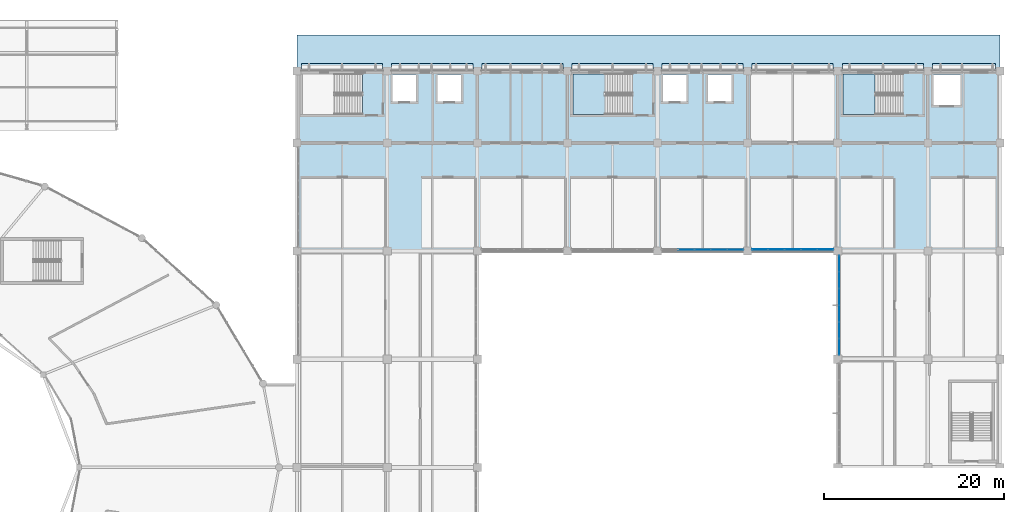
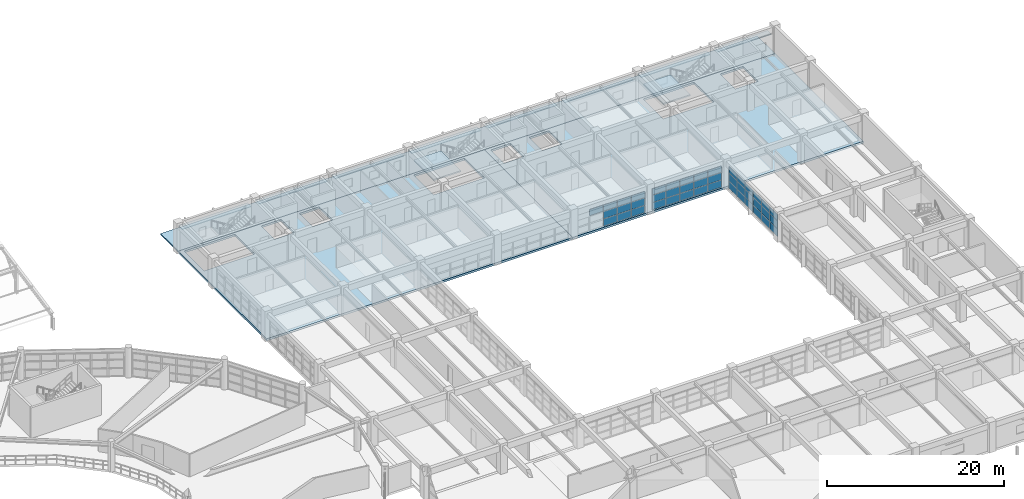
# One storey, part 73 of 100: 51 plates, 5 slabs, 5 elements without a shape of their own.
"""IFC4 building model written with IfcOpenShell, lengths in metres."""

from ifc_helpers import new_model, si_unit, direction, frame, origin, origin_2d, place, context, subcontext, project, spatial, polyline, rectangle, outline, extrude, material, layer, layer_set, type_object, element, aggregate, save


model = new_model("IFC4")

# Units and contexts
model_context = context("Model", 3, precision=1e-05, world=origin(), true_north=direction((0.0, 1.0)))
body_context = subcontext(model_context, "Body", "Model", "MODEL_VIEW")
ifc_project = project(units=[si_unit("LENGTHUNIT", "METRE"), si_unit("AREAUNIT", "SQUARE_METRE"), si_unit("VOLUMEUNIT", "CUBIC_METRE"), si_unit("PLANEANGLEUNIT", "RADIAN"), si_unit("MASSUNIT", "GRAM", prefix="KILO")], contexts=[model_context])

# Site, building, storey
site_placement = place(None, origin())
site = spatial("IfcSite", under=ifc_project, at=site_placement, CompositionType="ELEMENT")
building_placement = place(site_placement, origin())
building = spatial("IfcBuilding", under=site, at=building_placement, Name="Kivolera Central Railway Station", CompositionType="ELEMENT")
storey_placement = place(building_placement, frame((0.0, 0.0, 5.39990234375)))
storey = spatial("IfcBuildingStorey", under=building, at=storey_placement, Name="L01", CompositionType="ELEMENT", Elevation=5.39990234375)

# Curtain wall, plates
ifc_material_1 = material(Name="Anodised aluminium", Category="aluminium")
ifc_layer_1 = layer(ifc_material_1, 0.179931640625, Name="Anodised aluminium")
ifc_layer_set_1 = layer_set([ifc_layer_1], Name="Anodised aluminium")
curtain_wall_type_1 = type_object("IfcCurtainWallType", Name="CW-SYS-25", PredefinedType="NOTDEFINED", material=ifc_layer_set_1)
curtain_wall_1_placement = place(storey_placement, origin())
curtain_wall_1 = element("IfcCurtainWall", 1, at=curtain_wall_1_placement, inside=storey, type_object=curtain_wall_type_1, Name="L01 Curtain Wall CW-L01-CRTE-J", PredefinedType="NOTDEFINED")
ifc_material_2 = material(Name="Double low-E laminated glass", Category="glass")
ifc_layer_2 = layer(ifc_material_2, 0.030029296875, Name="Double low-E laminated glass")
ifc_layer_set_2 = layer_set([ifc_layer_2], Name="Double low-E laminated glass")
plate_type_1 = type_object("IfcPlateType", Name="CWP-GLZ-2", PredefinedType="CURTAIN_PANEL", material=ifc_layer_set_2)
plate_1_placement = place(storey_placement, frame((178.159912109375, 103.3857421875, 0.048095703125), z_axis=(0.0, 0.0, 1.0), x_axis=(0.0, 1.0, 0.0)))
plate_1 = element("IfcPlate", 2, at=plate_1_placement, type_object=plate_type_1, Name="CW-25 panel 1.1", PredefinedType="CURTAIN_PANEL", context=body_context, shape_type="SweptSolid", body=[
    extrude(rectangle(XDim=1.78564453125, YDim=0.030029296875, at=origin_2d()), origin(), (0.0, 0.0, 1.0), 1.025390625),
])
plate_2_placement = place(storey_placement, frame((178.159912109375, 103.3857421875, 1.109375), z_axis=(0.0, 0.0, 1.0), x_axis=(0.0, 1.0, 0.0)))
plate_2 = element("IfcPlate", 3, at=plate_2_placement, type_object=plate_type_1, Name="CW-25 panel 1.2", PredefinedType="CURTAIN_PANEL", context=body_context, shape_type="SweptSolid", body=[
    extrude(rectangle(XDim=1.78564453125, YDim=0.030029296875, at=origin_2d()), origin(), (0.0, 0.0, 1.0), 1.055419921875),
])
plate_3_placement = place(storey_placement, frame((178.159912109375, 103.3857421875, 2.20068359375), z_axis=(0.0, 0.0, 1.0), x_axis=(0.0, 1.0, 0.0)))
plate_3 = element("IfcPlate", 4, at=plate_3_placement, type_object=plate_type_1, Name="CW-25 panel 1.3", PredefinedType="CURTAIN_PANEL", context=body_context, shape_type="SweptSolid", body=[
    extrude(rectangle(XDim=1.78564453125, YDim=0.030029296875, at=origin_2d()), origin(), (0.0, 0.0, 1.0), 0.869384765625),
])
plate_4_placement = place(storey_placement, frame((178.159912109375, 105.222412109375, 0.048095703125), z_axis=(0.0, 0.0, 1.0), x_axis=(0.0, 1.0, 0.0)))
plate_4 = element("IfcPlate", 5, at=plate_4_placement, type_object=plate_type_1, Name="CW-25 panel 2.1", PredefinedType="CURTAIN_PANEL", context=body_context, shape_type="SweptSolid", body=[
    extrude(rectangle(XDim=1.815673828125, YDim=0.030029296875, at=origin_2d()), origin(), (0.0, 0.0, 1.0), 1.025390625),
])
plate_5_placement = place(storey_placement, frame((178.159912109375, 105.222412109375, 1.109375), z_axis=(0.0, 0.0, 1.0), x_axis=(0.0, 1.0, 0.0)))
plate_5 = element("IfcPlate", 6, at=plate_5_placement, type_object=plate_type_1, Name="CW-25 panel 2.2", PredefinedType="CURTAIN_PANEL", context=body_context, shape_type="SweptSolid", body=[
    extrude(rectangle(XDim=1.815673828125, YDim=0.030029296875, at=origin_2d()), origin(), (0.0, 0.0, 1.0), 1.055419921875),
])
plate_6_placement = place(storey_placement, frame((178.159912109375, 105.222412109375, 2.20068359375), z_axis=(0.0, 0.0, 1.0), x_axis=(0.0, 1.0, 0.0)))
plate_6 = element("IfcPlate", 7, at=plate_6_placement, type_object=plate_type_1, Name="CW-25 panel 2.3", PredefinedType="CURTAIN_PANEL", context=body_context, shape_type="SweptSolid", body=[
    extrude(rectangle(XDim=1.815673828125, YDim=0.030029296875, at=origin_2d()), origin(), (0.0, 0.0, 1.0), 0.869384765625),
])
plate_7_placement = place(storey_placement, frame((178.159912109375, 107.07421875, 0.048095703125), z_axis=(0.0, 0.0, 1.0), x_axis=(0.0, 1.0, 0.0)))
plate_7 = element("IfcPlate", 8, at=plate_7_placement, type_object=plate_type_1, Name="CW-25 panel 3.1", PredefinedType="CURTAIN_PANEL", context=body_context, shape_type="SweptSolid", body=[
    extrude(rectangle(XDim=1.815673828125, YDim=0.030029296875, at=origin_2d()), origin(), (0.0, 0.0, 1.0), 1.025390625),
])
plate_8_placement = place(storey_placement, frame((178.159912109375, 107.07421875, 1.109375), z_axis=(0.0, 0.0, 1.0), x_axis=(0.0, 1.0, 0.0)))
plate_8 = element("IfcPlate", 9, at=plate_8_placement, type_object=plate_type_1, Name="CW-25 panel 3.2", PredefinedType="CURTAIN_PANEL", context=body_context, shape_type="SweptSolid", body=[
    extrude(rectangle(XDim=1.815673828125, YDim=0.030029296875, at=origin_2d()), origin(), (0.0, 0.0, 1.0), 1.055419921875),
])
plate_9_placement = place(storey_placement, frame((178.159912109375, 107.07421875, 2.20068359375), z_axis=(0.0, 0.0, 1.0), x_axis=(0.0, 1.0, 0.0)))
plate_9 = element("IfcPlate", 10, at=plate_9_placement, type_object=plate_type_1, Name="CW-25 panel 3.3", PredefinedType="CURTAIN_PANEL", context=body_context, shape_type="SweptSolid", body=[
    extrude(rectangle(XDim=1.815673828125, YDim=0.030029296875, at=origin_2d()), origin(), (0.0, 0.0, 1.0), 0.869384765625),
])
plate_10_placement = place(storey_placement, frame((178.159912109375, 108.92578125, 0.048095703125), z_axis=(0.0, 0.0, 1.0), x_axis=(0.0, 1.0, 0.0)))
plate_10 = element("IfcPlate", 11, at=plate_10_placement, type_object=plate_type_1, Name="CW-25 panel 4.1", PredefinedType="CURTAIN_PANEL", context=body_context, shape_type="SweptSolid", body=[
    extrude(rectangle(XDim=1.815673828125, YDim=0.030029296875, at=origin_2d()), origin(), (0.0, 0.0, 1.0), 1.025390625),
])
plate_11_placement = place(storey_placement, frame((178.159912109375, 108.92578125, 1.109375), z_axis=(0.0, 0.0, 1.0), x_axis=(0.0, 1.0, 0.0)))
plate_11 = element("IfcPlate", 12, at=plate_11_placement, type_object=plate_type_1, Name="CW-25 panel 4.2", PredefinedType="CURTAIN_PANEL", context=body_context, shape_type="SweptSolid", body=[
    extrude(rectangle(XDim=1.815673828125, YDim=0.030029296875, at=origin_2d()), origin(), (0.0, 0.0, 1.0), 1.055419921875),
])
plate_12_placement = place(storey_placement, frame((178.159912109375, 108.92578125, 2.20068359375), z_axis=(0.0, 0.0, 1.0), x_axis=(0.0, 1.0, 0.0)))
plate_12 = element("IfcPlate", 13, at=plate_12_placement, type_object=plate_type_1, Name="CW-25 panel 4.3", PredefinedType="CURTAIN_PANEL", context=body_context, shape_type="SweptSolid", body=[
    extrude(rectangle(XDim=1.815673828125, YDim=0.030029296875, at=origin_2d()), origin(), (0.0, 0.0, 1.0), 0.869384765625),
])
plate_13_placement = place(storey_placement, frame((178.159912109375, 110.777587890625, 0.048095703125), z_axis=(0.0, 0.0, 1.0), x_axis=(0.0, 1.0, 0.0)))
plate_13 = element("IfcPlate", 14, at=plate_13_placement, type_object=plate_type_1, Name="CW-25 panel 5.1", PredefinedType="CURTAIN_PANEL", context=body_context, shape_type="SweptSolid", body=[
    extrude(rectangle(XDim=1.815673828125, YDim=0.030029296875, at=origin_2d()), origin(), (0.0, 0.0, 1.0), 1.025390625),
])
plate_14_placement = place(storey_placement, frame((178.159912109375, 110.777587890625, 1.109375), z_axis=(0.0, 0.0, 1.0), x_axis=(0.0, 1.0, 0.0)))
plate_14 = element("IfcPlate", 15, at=plate_14_placement, type_object=plate_type_1, Name="CW-25 panel 5.2", PredefinedType="CURTAIN_PANEL", context=body_context, shape_type="SweptSolid", body=[
    extrude(rectangle(XDim=1.815673828125, YDim=0.030029296875, at=origin_2d()), origin(), (0.0, 0.0, 1.0), 1.055419921875),
])
plate_15_placement = place(storey_placement, frame((178.159912109375, 110.777587890625, 2.20068359375), z_axis=(0.0, 0.0, 1.0), x_axis=(0.0, 1.0, 0.0)))
plate_15 = element("IfcPlate", 16, at=plate_15_placement, type_object=plate_type_1, Name="CW-25 panel 5.3", PredefinedType="CURTAIN_PANEL", context=body_context, shape_type="SweptSolid", body=[
    extrude(rectangle(XDim=1.815673828125, YDim=0.030029296875, at=origin_2d()), origin(), (0.0, 0.0, 1.0), 0.869384765625),
])
plate_16_placement = place(storey_placement, frame((178.159912109375, 112.6142578125, 0.048095703125), z_axis=(0.0, 0.0, 1.0), x_axis=(0.0, 1.0, 0.0)))
plate_16 = element("IfcPlate", 17, at=plate_16_placement, type_object=plate_type_1, Name="CW-25 panel 6.1", PredefinedType="CURTAIN_PANEL", context=body_context, shape_type="SweptSolid", body=[
    extrude(rectangle(XDim=1.78564453125, YDim=0.030029296875, at=origin_2d()), origin(), (0.0, 0.0, 1.0), 1.025390625),
])
plate_17_placement = place(storey_placement, frame((178.159912109375, 112.6142578125, 1.109375), z_axis=(0.0, 0.0, 1.0), x_axis=(0.0, 1.0, 0.0)))
plate_17 = element("IfcPlate", 18, at=plate_17_placement, type_object=plate_type_1, Name="CW-25 panel 6.2", PredefinedType="CURTAIN_PANEL", context=body_context, shape_type="SweptSolid", body=[
    extrude(rectangle(XDim=1.78564453125, YDim=0.030029296875, at=origin_2d()), origin(), (0.0, 0.0, 1.0), 1.055419921875),
])
plate_18_placement = place(storey_placement, frame((178.159912109375, 112.6142578125, 2.20068359375), z_axis=(0.0, 0.0, 1.0), x_axis=(0.0, 1.0, 0.0)))
plate_18 = element("IfcPlate", 19, at=plate_18_placement, type_object=plate_type_1, Name="CW-25 panel 6.3", PredefinedType="CURTAIN_PANEL", context=body_context, shape_type="SweptSolid", body=[
    extrude(rectangle(XDim=1.78564453125, YDim=0.030029296875, at=origin_2d()), origin(), (0.0, 0.0, 1.0), 0.869384765625),
])
aggregate(curtain_wall_1, [plate_1, plate_2, plate_3, plate_4, plate_5, plate_6, plate_7, plate_8, plate_9, plate_10, plate_11, plate_12, plate_13, plate_14, plate_15, plate_16, plate_17, plate_18])

ifc_layer_3 = layer(ifc_material_1, 0.179931640625, Name="Anodised aluminium")
ifc_layer_set_3 = layer_set([ifc_layer_3], Name="Anodised aluminium")
curtain_wall_type_2 = type_object("IfcCurtainWallType", Name="CW-SYS-24", PredefinedType="NOTDEFINED", material=ifc_layer_set_3)
curtain_wall_2_placement = place(storey_placement, origin())
curtain_wall_2 = element("IfcCurtainWall", 20, at=curtain_wall_2_placement, inside=storey, type_object=curtain_wall_type_2, Name="L01 Curtain Wall CW-L01-CRTN-158", PredefinedType="NOTDEFINED")
ifc_layer_4 = layer(ifc_material_2, 0.0380859375, Name="Double low-E laminated glass")
ifc_layer_set_4 = layer_set([ifc_layer_4], Name="Double low-E laminated glass")
plate_type_2 = type_object("IfcPlateType", Name="CWP-GLZ-4", PredefinedType="CURTAIN_PANEL", material=ifc_layer_set_4)
plate_19_placement = place(storey_placement, frame((166.62890625, 114.159912109375, 0.048095703125), z_axis=(0.0, 0.0, 1.0), x_axis=(-1.0, 0.0, 0.0)))
plate_19 = element("IfcPlate", 21, at=plate_19_placement, type_object=plate_type_2, Name="CW-24 panel 1.1", PredefinedType="CURTAIN_PANEL", context=body_context, shape_type="SweptSolid", body=[
    extrude(rectangle(XDim=1.756103515625, YDim=0.0380859375, at=origin_2d()), origin(), (0.0, 0.0, 1.0), 0.990234375),
])
plate_20_placement = place(storey_placement, frame((166.62890625, 114.159912109375, 1.07421875), z_axis=(0.0, 0.0, 1.0), x_axis=(-1.0, 0.0, 0.0)))
plate_20 = element("IfcPlate", 22, at=plate_20_placement, type_object=plate_type_2, Name="CW-24 panel 1.2", PredefinedType="CURTAIN_PANEL", context=body_context, shape_type="SweptSolid", body=[
    extrude(rectangle(XDim=1.756103515625, YDim=0.0380859375, at=origin_2d()), origin(), (0.0, 0.0, 1.0), 1.020263671875),
])
plate_21_placement = place(storey_placement, frame((166.62890625, 114.159912109375, 2.130615234375), z_axis=(0.0, 0.0, 1.0), x_axis=(-1.0, 0.0, 0.0)))
plate_21 = element("IfcPlate", 23, at=plate_21_placement, type_object=plate_type_2, Name="CW-24 panel 1.3", PredefinedType="CURTAIN_PANEL", context=body_context, shape_type="SweptSolid", body=[
    extrude(rectangle(XDim=1.756103515625, YDim=0.0380859375, at=origin_2d()), origin(), (0.0, 0.0, 1.0), 0.83935546875),
])
plate_22_placement = place(storey_placement, frame((164.822021484375, 114.159912109375, 0.048095703125), z_axis=(0.0, 0.0, 1.0), x_axis=(-1.0, 0.0, 0.0)))
plate_22 = element("IfcPlate", 24, at=plate_22_placement, type_object=plate_type_2, Name="CW-24 panel 2.1", PredefinedType="CURTAIN_PANEL", context=body_context, shape_type="SweptSolid", body=[
    extrude(rectangle(XDim=1.785888671875, YDim=0.0380859375, at=origin_2d()), origin(), (0.0, 0.0, 1.0), 0.990234375),
])
plate_23_placement = place(storey_placement, frame((164.822021484375, 114.159912109375, 1.07421875), z_axis=(0.0, 0.0, 1.0), x_axis=(-1.0, 0.0, 0.0)))
plate_23 = element("IfcPlate", 25, at=plate_23_placement, type_object=plate_type_2, Name="CW-24 panel 2.2", PredefinedType="CURTAIN_PANEL", context=body_context, shape_type="SweptSolid", body=[
    extrude(rectangle(XDim=1.785888671875, YDim=0.0380859375, at=origin_2d()), origin(), (0.0, 0.0, 1.0), 1.020263671875),
])
plate_24_placement = place(storey_placement, frame((164.822021484375, 114.159912109375, 2.130615234375), z_axis=(0.0, 0.0, 1.0), x_axis=(-1.0, 0.0, 0.0)))
plate_24 = element("IfcPlate", 26, at=plate_24_placement, type_object=plate_type_2, Name="CW-24 panel 2.3", PredefinedType="CURTAIN_PANEL", context=body_context, shape_type="SweptSolid", body=[
    extrude(rectangle(XDim=1.785888671875, YDim=0.0380859375, at=origin_2d()), origin(), (0.0, 0.0, 1.0), 0.83935546875),
])
plate_25_placement = place(storey_placement, frame((163.0, 114.159912109375, 0.048095703125), z_axis=(0.0, 0.0, 1.0), x_axis=(-1.0, 0.0, 0.0)))
plate_25 = element("IfcPlate", 27, at=plate_25_placement, type_object=plate_type_2, Name="CW-24 panel 3.1", PredefinedType="CURTAIN_PANEL", context=body_context, shape_type="SweptSolid", body=[
    extrude(rectangle(XDim=1.785888671875, YDim=0.0380859375, at=origin_2d()), origin(), (0.0, 0.0, 1.0), 0.990234375),
])
plate_26_placement = place(storey_placement, frame((163.0, 114.159912109375, 1.07421875), z_axis=(0.0, 0.0, 1.0), x_axis=(-1.0, 0.0, 0.0)))
plate_26 = element("IfcPlate", 28, at=plate_26_placement, type_object=plate_type_2, Name="CW-24 panel 3.2", PredefinedType="CURTAIN_PANEL", context=body_context, shape_type="SweptSolid", body=[
    extrude(rectangle(XDim=1.785888671875, YDim=0.0380859375, at=origin_2d()), origin(), (0.0, 0.0, 1.0), 1.020263671875),
])
plate_27_placement = place(storey_placement, frame((163.0, 114.159912109375, 2.130615234375), z_axis=(0.0, 0.0, 1.0), x_axis=(-1.0, 0.0, 0.0)))
plate_27 = element("IfcPlate", 29, at=plate_27_placement, type_object=plate_type_2, Name="CW-24 panel 3.3", PredefinedType="CURTAIN_PANEL", context=body_context, shape_type="SweptSolid", body=[
    extrude(rectangle(XDim=1.785888671875, YDim=0.0380859375, at=origin_2d()), origin(), (0.0, 0.0, 1.0), 0.83935546875),
])
plate_28_placement = place(storey_placement, frame((161.177978515625, 114.159912109375, 2.130615234375), z_axis=(0.0, 0.0, 1.0), x_axis=(-1.0, 0.0, 0.0)))
plate_28 = element("IfcPlate", 30, at=plate_28_placement, type_object=plate_type_2, Name="CW-24 panel 4.3", PredefinedType="CURTAIN_PANEL", context=body_context, shape_type="SweptSolid", body=[
    extrude(rectangle(XDim=1.785888671875, YDim=0.0380859375, at=origin_2d()), origin(), (0.0, 0.0, 1.0), 0.83935546875),
])
aggregate(curtain_wall_2, [plate_19, plate_20, plate_21, plate_22, plate_23, plate_24, plate_25, plate_26, plate_27, plate_28])

curtain_wall_3_placement = place(storey_placement, origin())
curtain_wall_3 = element("IfcCurtainWall", 31, at=curtain_wall_3_placement, inside=storey, type_object=curtain_wall_type_2, Name="L01 Curtain Wall CW-L01-CRTN-168", PredefinedType="NOTDEFINED")
ifc_layer_5 = layer(ifc_material_2, 0.0419921875, Name="Double low-E laminated glass")
ifc_layer_set_5 = layer_set([ifc_layer_5], Name="Double low-E laminated glass")
plate_type_3 = type_object("IfcPlateType", Name="CWP-GLZ-5", PredefinedType="CURTAIN_PANEL", material=ifc_layer_set_5)
plate_29_placement = place(storey_placement, frame((176.62890625, 114.159912109375, 0.048095703125), z_axis=(0.0, 0.0, 1.0), x_axis=(-1.0, 0.0, 0.0)))
plate_29 = element("IfcPlate", 32, at=plate_29_placement, type_object=plate_type_3, Name="CW-24 panel 1.1", PredefinedType="CURTAIN_PANEL", context=body_context, shape_type="SweptSolid", body=[
    extrude(rectangle(XDim=1.756103515625, YDim=0.0419921875, at=origin_2d()), origin(), (0.0, 0.0, 1.0), 0.990234375),
])
plate_30_placement = place(storey_placement, frame((176.62890625, 114.159912109375, 1.07421875), z_axis=(0.0, 0.0, 1.0), x_axis=(-1.0, 0.0, 0.0)))
plate_30 = element("IfcPlate", 33, at=plate_30_placement, type_object=plate_type_3, Name="CW-24 panel 1.2", PredefinedType="CURTAIN_PANEL", context=body_context, shape_type="SweptSolid", body=[
    extrude(rectangle(XDim=1.756103515625, YDim=0.0419921875, at=origin_2d()), origin(), (0.0, 0.0, 1.0), 1.020263671875),
])
plate_31_placement = place(storey_placement, frame((176.62890625, 114.159912109375, 2.130615234375), z_axis=(0.0, 0.0, 1.0), x_axis=(-1.0, 0.0, 0.0)))
plate_31 = element("IfcPlate", 34, at=plate_31_placement, type_object=plate_type_3, Name="CW-24 panel 1.3", PredefinedType="CURTAIN_PANEL", context=body_context, shape_type="SweptSolid", body=[
    extrude(rectangle(XDim=1.756103515625, YDim=0.0419921875, at=origin_2d()), origin(), (0.0, 0.0, 1.0), 0.83935546875),
])
plate_32_placement = place(storey_placement, frame((174.822021484375, 114.159912109375, 0.048095703125), z_axis=(0.0, 0.0, 1.0), x_axis=(-1.0, 0.0, 0.0)))
plate_32 = element("IfcPlate", 35, at=plate_32_placement, type_object=plate_type_3, Name="CW-24 panel 2.1", PredefinedType="CURTAIN_PANEL", context=body_context, shape_type="SweptSolid", body=[
    extrude(rectangle(XDim=1.785888671875, YDim=0.0419921875, at=origin_2d()), origin(), (0.0, 0.0, 1.0), 0.990234375),
])
plate_33_placement = place(storey_placement, frame((174.822021484375, 114.159912109375, 1.07421875), z_axis=(0.0, 0.0, 1.0), x_axis=(-1.0, 0.0, 0.0)))
plate_33 = element("IfcPlate", 36, at=plate_33_placement, type_object=plate_type_3, Name="CW-24 panel 2.2", PredefinedType="CURTAIN_PANEL", context=body_context, shape_type="SweptSolid", body=[
    extrude(rectangle(XDim=1.785888671875, YDim=0.0419921875, at=origin_2d()), origin(), (0.0, 0.0, 1.0), 1.020263671875),
])
plate_34_placement = place(storey_placement, frame((174.822021484375, 114.159912109375, 2.130615234375), z_axis=(0.0, 0.0, 1.0), x_axis=(-1.0, 0.0, 0.0)))
plate_34 = element("IfcPlate", 37, at=plate_34_placement, type_object=plate_type_3, Name="CW-24 panel 2.3", PredefinedType="CURTAIN_PANEL", context=body_context, shape_type="SweptSolid", body=[
    extrude(rectangle(XDim=1.785888671875, YDim=0.0419921875, at=origin_2d()), origin(), (0.0, 0.0, 1.0), 0.83935546875),
])
plate_35_placement = place(storey_placement, frame((173.0, 114.159912109375, 0.048095703125), z_axis=(0.0, 0.0, 1.0), x_axis=(-1.0, 0.0, 0.0)))
plate_35 = element("IfcPlate", 38, at=plate_35_placement, type_object=plate_type_3, Name="CW-24 panel 3.1", PredefinedType="CURTAIN_PANEL", context=body_context, shape_type="SweptSolid", body=[
    extrude(rectangle(XDim=1.785888671875, YDim=0.0419921875, at=origin_2d()), origin(), (0.0, 0.0, 1.0), 0.990234375),
])
plate_36_placement = place(storey_placement, frame((173.0, 114.159912109375, 1.07421875), z_axis=(0.0, 0.0, 1.0), x_axis=(-1.0, 0.0, 0.0)))
plate_36 = element("IfcPlate", 39, at=plate_36_placement, type_object=plate_type_3, Name="CW-24 panel 3.2", PredefinedType="CURTAIN_PANEL", context=body_context, shape_type="SweptSolid", body=[
    extrude(rectangle(XDim=1.785888671875, YDim=0.0419921875, at=origin_2d()), origin(), (0.0, 0.0, 1.0), 1.020263671875),
])
plate_37_placement = place(storey_placement, frame((173.0, 114.159912109375, 2.130615234375), z_axis=(0.0, 0.0, 1.0), x_axis=(-1.0, 0.0, 0.0)))
plate_37 = element("IfcPlate", 40, at=plate_37_placement, type_object=plate_type_3, Name="CW-24 panel 3.3", PredefinedType="CURTAIN_PANEL", context=body_context, shape_type="SweptSolid", body=[
    extrude(rectangle(XDim=1.785888671875, YDim=0.0419921875, at=origin_2d()), origin(), (0.0, 0.0, 1.0), 0.83935546875),
])
plate_38_placement = place(storey_placement, frame((171.177978515625, 114.159912109375, 0.048095703125), z_axis=(0.0, 0.0, 1.0), x_axis=(-1.0, 0.0, 0.0)))
plate_38 = element("IfcPlate", 41, at=plate_38_placement, type_object=plate_type_3, Name="CW-24 panel 4.1", PredefinedType="CURTAIN_PANEL", context=body_context, shape_type="SweptSolid", body=[
    extrude(rectangle(XDim=1.785888671875, YDim=0.0419921875, at=origin_2d()), origin(), (0.0, 0.0, 1.0), 0.990234375),
])
plate_39_placement = place(storey_placement, frame((171.177978515625, 114.159912109375, 1.07421875), z_axis=(0.0, 0.0, 1.0), x_axis=(-1.0, 0.0, 0.0)))
plate_39 = element("IfcPlate", 42, at=plate_39_placement, type_object=plate_type_3, Name="CW-24 panel 4.2", PredefinedType="CURTAIN_PANEL", context=body_context, shape_type="SweptSolid", body=[
    extrude(rectangle(XDim=1.785888671875, YDim=0.0419921875, at=origin_2d()), origin(), (0.0, 0.0, 1.0), 1.020263671875),
])
plate_40_placement = place(storey_placement, frame((171.177978515625, 114.159912109375, 2.130615234375), z_axis=(0.0, 0.0, 1.0), x_axis=(-1.0, 0.0, 0.0)))
plate_40 = element("IfcPlate", 43, at=plate_40_placement, type_object=plate_type_3, Name="CW-24 panel 4.3", PredefinedType="CURTAIN_PANEL", context=body_context, shape_type="SweptSolid", body=[
    extrude(rectangle(XDim=1.785888671875, YDim=0.0419921875, at=origin_2d()), origin(), (0.0, 0.0, 1.0), 0.83935546875),
])
plate_41_placement = place(storey_placement, frame((169.37109375, 114.159912109375, 0.048095703125), z_axis=(0.0, 0.0, 1.0), x_axis=(-1.0, 0.0, 0.0)))
plate_41 = element("IfcPlate", 44, at=plate_41_placement, type_object=plate_type_3, Name="CW-24 panel 5.1", PredefinedType="CURTAIN_PANEL", context=body_context, shape_type="SweptSolid", body=[
    extrude(rectangle(XDim=1.756103515625, YDim=0.0419921875, at=origin_2d()), origin(), (0.0, 0.0, 1.0), 0.990234375),
])
plate_42_placement = place(storey_placement, frame((169.37109375, 114.159912109375, 1.07421875), z_axis=(0.0, 0.0, 1.0), x_axis=(-1.0, 0.0, 0.0)))
plate_42 = element("IfcPlate", 45, at=plate_42_placement, type_object=plate_type_3, Name="CW-24 panel 5.2", PredefinedType="CURTAIN_PANEL", context=body_context, shape_type="SweptSolid", body=[
    extrude(rectangle(XDim=1.756103515625, YDim=0.0419921875, at=origin_2d()), origin(), (0.0, 0.0, 1.0), 1.020263671875),
])
plate_43_placement = place(storey_placement, frame((169.37109375, 114.159912109375, 2.130615234375), z_axis=(0.0, 0.0, 1.0), x_axis=(-1.0, 0.0, 0.0)))
plate_43 = element("IfcPlate", 46, at=plate_43_placement, type_object=plate_type_3, Name="CW-24 panel 5.3", PredefinedType="CURTAIN_PANEL", context=body_context, shape_type="SweptSolid", body=[
    extrude(rectangle(XDim=1.756103515625, YDim=0.0419921875, at=origin_2d()), origin(), (0.0, 0.0, 1.0), 0.83935546875),
])
aggregate(curtain_wall_3, [plate_29, plate_30, plate_31, plate_32, plate_33, plate_34, plate_35, plate_36, plate_37, plate_38, plate_39, plate_40, plate_41, plate_42, plate_43])

# Plates
ifc_layer_6 = layer(ifc_material_1, 0.094970703125, Name="Anodised aluminium")
ifc_layer_set_6 = layer_set([ifc_layer_6], Name="Anodised aluminium")
plate_type_4 = type_object("IfcPlateType", Name="PLT-EGGHOOD-95", PredefinedType="SHEET", material=ifc_layer_set_6)
for number, where, z_axis, x_axis, name in (
    (47, (123.0, 134.4130859375, 2.7724609375), (0.0, 0.0, 1.0), (1.0, 0.0, 0.0), "L01 North Afro-Modernist Monsoon Sun-Hood 1"),
    (48, (133.0, 134.4130859375, 2.7724609375), (0.0, 0.0, 1.0), (1.0, 0.0, 0.0), "L01 North Afro-Modernist Monsoon Sun-Hood 2"),
    (49, (143.0, 134.4130859375, 2.7724609375), (0.0, 0.0, 1.0), (1.0, 0.0, 0.0), "L01 North Afro-Modernist Monsoon Sun-Hood 3"),
    (50, (153.0, 134.4130859375, 2.7724609375), (0.0, 0.0, 1.0), (1.0, 0.0, 0.0), "L01 North Afro-Modernist Monsoon Sun-Hood 4"),
    (51, (163.0, 134.4130859375, 2.7724609375), (0.0, 0.0, 1.0), (1.0, 0.0, 0.0), "L01 North Afro-Modernist Monsoon Sun-Hood 5"),
    (52, (173.0, 134.4130859375, 2.7724609375), (0.0, 0.0, 1.0), (1.0, 0.0, 0.0), "L01 North Afro-Modernist Monsoon Sun-Hood 6"),
    (53, (183.0, 134.4130859375, 2.7724609375), (0.0, 0.0, 1.0), (1.0, 0.0, 0.0), "L01 North Afro-Modernist Monsoon Sun-Hood 7"),
):
    element("IfcPlate", number, at=place(storey_placement, frame(where, z_axis=z_axis, x_axis=x_axis)), inside=storey, type_object=plate_type_4, Name=name, PredefinedType="SHEET", context=body_context, shape_type="SweptSolid", body=[
        extrude(rectangle(XDim=8.989990234375, YDim=0.85009765625, at=origin_2d()), origin(), (0.0, 0.0, 1.0), 0.094970703125),
    ])
plate_44_placement = place(storey_placement, frame((192.0, 134.4130859375, 2.7724609375), z_axis=(0.0, 0.0, 1.0), x_axis=(1.0, 0.0, 0.0)))
element("IfcPlate", 54, at=plate_44_placement, inside=storey, type_object=plate_type_4, Name="L01 North Afro-Modernist Monsoon Sun-Hood 8", PredefinedType="SHEET", context=body_context, shape_type="SweptSolid", body=[
    extrude(rectangle(XDim=6.989990234375, YDim=0.85009765625, at=origin_2d()), origin(), (0.0, 0.0, 1.0), 0.094970703125),
])

# Slabs
ifc_material_3 = material(Name="Concrete C40/50", Category="concrete")
ifc_layer_7 = layer(ifc_material_3, 0.280029296875, Name="Concrete C40/50")
ifc_layer_set_7 = layer_set([ifc_layer_7], Name="Concrete C40/50")
slab_type_1 = type_object("IfcSlabType", Name="SLB-FLR-280", PredefinedType="FLOOR", material=ifc_layer_set_7)
slab_1_placement = place(storey_placement, frame((0.0, 0.0, -0.27978515625)))
element("IfcSlab", 55, at=slab_1_placement, inside=storey, type_object=slab_type_1, Name="L01 Wing NORTH-W Floor Slab", PredefinedType="FLOOR", context=body_context, shape_type="SweptSolid", body=[
    extrude(outline(polyline([(118.0, 114.0), (158.0, 114.0), (158.0, 134.0), (118.0, 134.0), (118.0, 114.0)]), holes=[polyline([(125.239990234375, 133.679931640625), (118.60009765625, 133.679931640625), (118.60009765625, 129.179931640625), (125.239990234375, 129.179931640625), (125.239990234375, 133.679931640625)]), polyline([(155.239990234375, 133.679931640625), (148.60009765625, 133.679931640625), (148.60009765625, 129.179931640625), (155.239990234375, 129.179931640625), (155.239990234375, 133.679931640625)]), polyline([(128.60009765625, 130.60009765625), (131.199951171875, 130.60009765625), (131.199951171875, 133.60009765625), (128.60009765625, 133.60009765625), (128.60009765625, 130.60009765625)]), polyline([(133.60009765625, 130.60009765625), (136.199951171875, 130.60009765625), (136.199951171875, 133.60009765625), (133.60009765625, 133.60009765625), (133.60009765625, 130.60009765625)])]), origin(), (0.0, 0.0, 1.0), 0.27978515625),
])
slab_2_placement = place(storey_placement, frame((0.0, 0.0, -0.27978515625)))
element("IfcSlab", 56, at=slab_2_placement, inside=storey, type_object=slab_type_1, Name="L01 Wing NORTH-E Floor Slab", PredefinedType="FLOOR", context=body_context, shape_type="SweptSolid", body=[
    extrude(outline(polyline([(158.0, 114.0), (196.0, 114.0), (196.0, 134.0), (158.0, 134.0), (158.0, 114.0)]), holes=[polyline([(185.239990234375, 133.679931640625), (178.60009765625, 133.679931640625), (178.60009765625, 129.179931640625), (185.239990234375, 129.179931640625), (185.239990234375, 133.679931640625)]), polyline([(158.60009765625, 130.60009765625), (161.199951171875, 130.60009765625), (161.199951171875, 133.60009765625), (158.60009765625, 133.60009765625), (158.60009765625, 130.60009765625)]), polyline([(163.60009765625, 130.60009765625), (166.199951171875, 130.60009765625), (166.199951171875, 133.60009765625), (163.60009765625, 133.60009765625), (163.60009765625, 130.60009765625)]), polyline([(188.60009765625, 130.199951171875), (191.60009765625, 130.199951171875), (191.60009765625, 133.60009765625), (188.60009765625, 133.60009765625), (188.60009765625, 130.199951171875)])]), origin(), (0.0, 0.0, 1.0), 0.27978515625),
])

# Stair, slab
stair_type = type_object("IfcStairType", Name="STR-2160-24", PredefinedType="HALF_TURN_STAIR", material=ifc_material_3)
stair_1_placement = place(storey_placement, origin())
stair_1 = element("IfcStair", 57, at=stair_1_placement, inside=storey, type_object=stair_type, Name="L01 Protected Exit Stair ST2", PredefinedType="HALF_TURN_STAIR")
ifc_layer_8 = layer(ifc_material_3, 0.199951171875, Name="Concrete C40/50")
ifc_layer_set_8 = layer_set([ifc_layer_8], Name="Concrete C40/50")
slab_type_2 = type_object("IfcSlabType", Name="SLB-LND-200", PredefinedType="LANDING", material=ifc_layer_set_8)
slab_3_placement = place(storey_placement, frame((0.0, 0.0, 1.900146484375)))
slab_3 = element("IfcSlab", 58, at=slab_3_placement, type_object=slab_type_2, Name="ST2 landing 1", PredefinedType="LANDING", context=body_context, shape_type="SweptSolid", body=[
    extrude(outline(polyline([(152.159912109375, 133.679931640625), (148.60009765625, 133.679931640625), (148.60009765625, 129.179931640625), (152.159912109375, 129.179931640625), (152.159912109375, 133.679931640625)])), origin(), (0.0, 0.0, 1.0), 0.199951171875),
])
aggregate(stair_1, [slab_3])

stair_2_placement = place(storey_placement, origin())
stair_2 = element("IfcStair", 59, at=stair_2_placement, inside=storey, type_object=stair_type, Name="L01 Protected Exit Stair ST3", PredefinedType="HALF_TURN_STAIR")
slab_4_placement = place(storey_placement, frame((0.0, 0.0, 1.900146484375)))
slab_4 = element("IfcSlab", 60, at=slab_4_placement, type_object=slab_type_2, Name="ST3 landing 1", PredefinedType="LANDING", context=body_context, shape_type="SweptSolid", body=[
    extrude(outline(polyline([(182.159912109375, 133.679931640625), (178.60009765625, 133.679931640625), (178.60009765625, 129.179931640625), (182.159912109375, 129.179931640625), (182.159912109375, 133.679931640625)])), origin(), (0.0, 0.0, 1.0), 0.199951171875),
])
aggregate(stair_2, [slab_4])

# Slab
ifc_layer_9 = layer(ifc_material_3, 0.199951171875, Name="Concrete C40/50")
ifc_layer_set_9 = layer_set([ifc_layer_9], Name="Concrete C40/50")
slab_type_3 = type_object("IfcSlabType", Name="SLB-MON-200", PredefinedType="ROOF", material=ifc_layer_set_9)
slab_5_placement = place(storey_placement, frame((0.0, 0.0, -0.199951171875)))
element("IfcSlab", 61, at=slab_5_placement, inside=storey, type_object=slab_type_3, Name="L01 Northern Street Colonnade Canopy Slab", PredefinedType="ROOF", context=body_context, shape_type="SweptSolid", body=[
    extrude(outline(polyline([(118.0, 134.0), (196.0, 134.0), (196.0, 138.0), (118.0, 138.0), (118.0, 134.0)])), origin(), (0.0, 0.0, 1.0), 0.199951171875),
])

save(model, "model.ifc")
